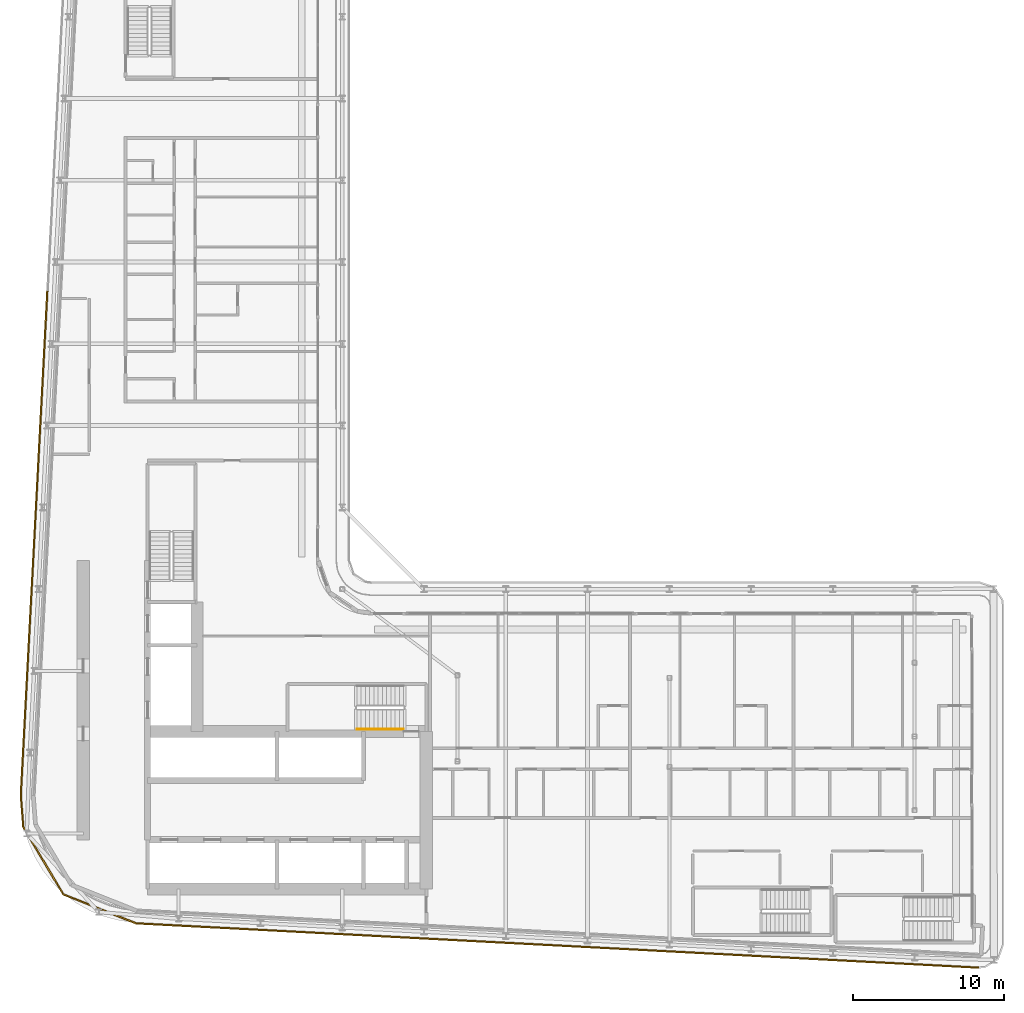
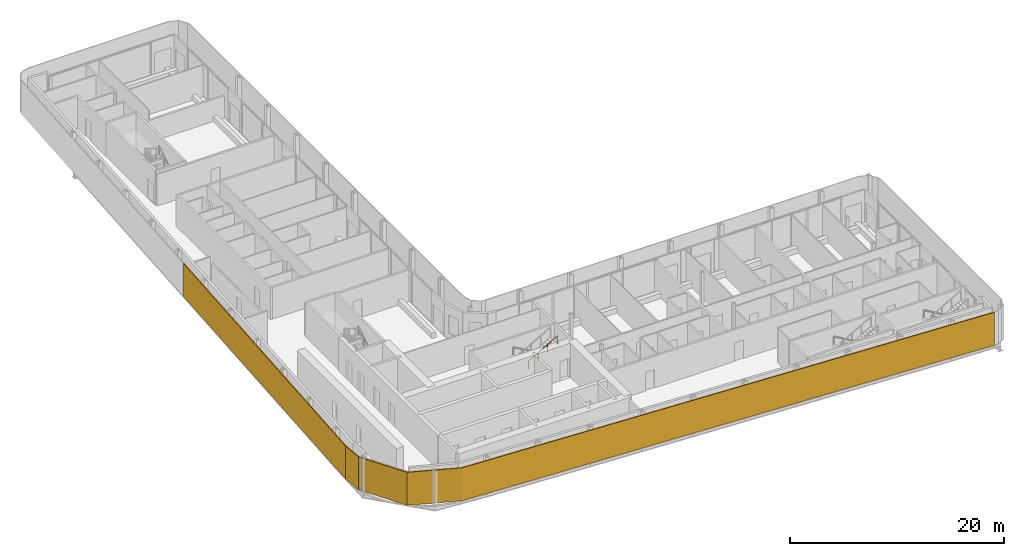
# One storey, part 18 of 24: 2 shading devices, 1 railing.
"""IFC4 building model written with IfcOpenShell, lengths in metres."""

from ifc_helpers import new_model, si_unit, direction, frame, origin, origin_2d, place, context, subcontext, project, spatial, polyline, rectangle, circle, outline, extrude, material, layer, layer_set, type_object, element, save


model = new_model("IFC4")

# Units and contexts
model_context = context("Model", 3, precision=1e-05, world=origin(), true_north=direction((0.0, 1.0)))
body_context = subcontext(model_context, "Body", "Model", "MODEL_VIEW")
ifc_project = project(units=[si_unit("LENGTHUNIT", "METRE"), si_unit("AREAUNIT", "SQUARE_METRE"), si_unit("VOLUMEUNIT", "CUBIC_METRE"), si_unit("PLANEANGLEUNIT", "RADIAN"), si_unit("MASSUNIT", "GRAM", prefix="KILO")], contexts=[model_context])

# Site, building, storey
site_placement = place(None, origin())
site = spatial("IfcSite", under=ifc_project, at=site_placement, CompositionType="ELEMENT")
building_placement = place(site_placement, origin())
building = spatial("IfcBuilding", under=site, at=building_placement, Name="Kheshtan School and Residences Tower", CompositionType="ELEMENT")
storey_placement = place(building_placement, frame((0.0, 0.0, 160.39990234375)))
storey = spatial("IfcBuildingStorey", under=building, at=storey_placement, Name="L37", CompositionType="ELEMENT", Elevation=160.39990234375)

# Shading devices
ifc_material_1 = material(Name="Terracotta baguette, extruded ceramic", Category="masonry")
ifc_layer = layer(ifc_material_1, 0.10009765625)
ifc_layer_set = layer_set([ifc_layer], Name="Ledge screen, terracotta baguettes")
shading_device_type = type_object("IfcShadingDeviceType", Name="Ledge screen, terracotta baguettes", PredefinedType="USERDEFINED", material=ifc_layer_set)
shading_device_1_placement = place(storey_placement, origin())
element("IfcShadingDevice", 1, at=shading_device_1_placement, inside=storey, type_object=shading_device_type, Name="Screen L37 3", ObjectType="BAGUETTE", PredefinedType="USERDEFINED", context=body_context, shape_type="SweptSolid", body=[
    extrude(outline(polyline([(89.62109375, 20.652099609375), (33.989013671875, 23.580078125), (29.2119140625, 25.486083984375), (26.583984375, 29.906982421875), (26.419921875, 31.989013671875), (26.320068359375, 31.98095703125), (26.486083984375, 29.8759765625), (29.14306640625, 25.406005859375), (33.967041015625, 23.48095703125), (89.615966796875, 20.552001953125), (89.62109375, 20.652099609375)])), origin(), (0.0, 0.0, 1.0), 3.75),
])
shading_device_2_placement = place(storey_placement, frame((27.24609375, 48.638916015625, 0.0), z_axis=(0.0, 0.0, 1.0), x_axis=(0.052562536748, 0.998617634398, 0.0)))
element("IfcShadingDevice", 2, at=shading_device_2_placement, inside=storey, type_object=shading_device_type, Name="Screen L37 4", ObjectType="BAGUETTE", PredefinedType="USERDEFINED", context=body_context, shape_type="SweptSolid", body=[
    extrude(rectangle(XDim=33.341064453125, YDim=0.10009765625, at=origin_2d()), origin(), (0.0, 0.0, 1.0), 3.75),
])

# Railing
ifc_material_2 = material(Name="Stainless steel handrail", Category="steel")
railing_type = type_object("IfcRailingType", Name="Stair handrail 900", PredefinedType="HANDRAIL", material=ifc_material_2)
railing_placement = place(storey_placement, frame((48.570068359375, 36.35009765625, 2.112548828125)))
element("IfcRailing", 3, at=railing_placement, inside=storey, type_object=railing_type, Name="L37 ST1 stair handrail 2", PredefinedType="HANDRAIL", context=body_context, shape_type="SweptSolid", body=[
    extrude(circle(Radius=0.02392578125, at=origin_2d()), frame((0.0, 0.0, 0.8759765625), z_axis=(0.864873446163, 0.0, 0.501989962173), x_axis=(0.0, 1.0, 0.0)), (0.0, 0.0, 1.0), 3.56103515625),
    extrude(circle(Radius=0.02099609375, at=origin_2d()), origin(), (0.0, 0.0, 1.0), 0.851806640625),
    extrude(circle(Radius=0.02099609375, at=origin_2d()), frame((1.026611328125, 0.0, 0.595947265625)), (0.0, 0.0, 1.0), 0.851806640625),
    extrude(circle(Radius=0.02099609375, at=origin_2d()), frame((2.05322265625, 0.0, 1.191650390625)), (0.0, 0.0, 1.0), 0.851806640625),
    extrude(circle(Radius=0.02099609375, at=origin_2d()), frame((3.079833984375, 0.0, 1.78759765625)), (0.0, 0.0, 1.0), 0.851806640625),
])

save(model, "model.ifc")
